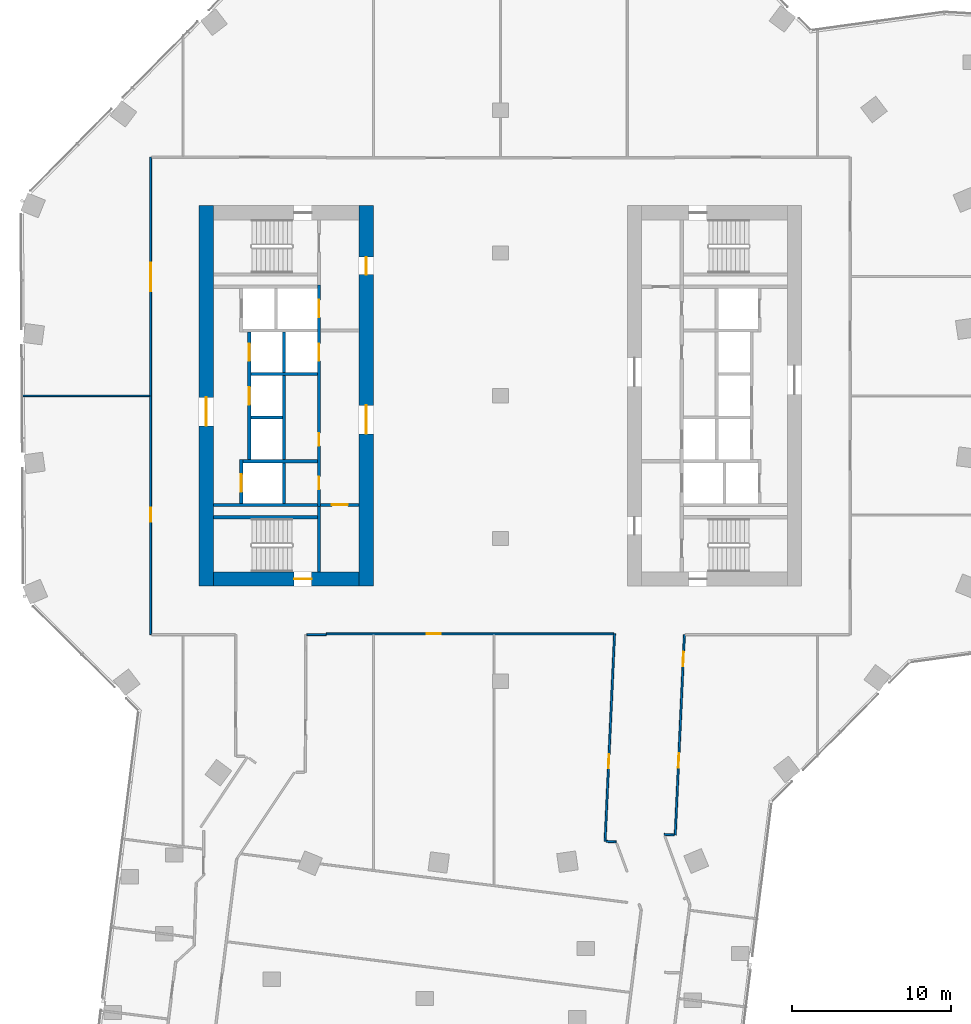
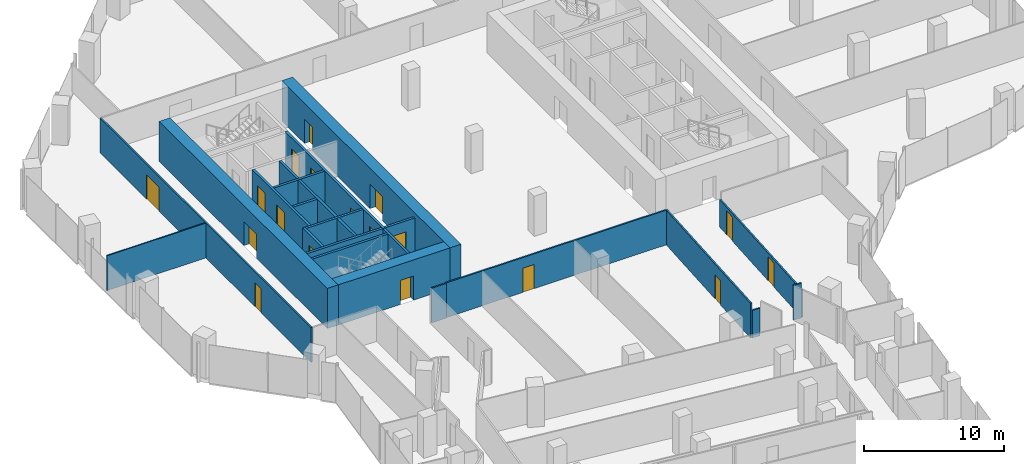
# One storey, part 20 of 27: 24 walls, 18 doors, 18 openings.
"""IFC4 building model written with IfcOpenShell, lengths in metres."""

from ifc_helpers import new_model, si_unit, direction, frame, frame_2d, origin, place, context, subcontext, project, spatial, rectangle, extrude, material, layer, layer_set, type_object, element, fill, save


model = new_model("IFC4")

# Units and contexts
model_context = context("Model", 3, precision=1e-05, world=origin(), true_north=direction((0.0, 1.0)))
body_context = subcontext(model_context, "Body", "Model", "MODEL_VIEW")
ifc_project = project(units=[si_unit("LENGTHUNIT", "METRE"), si_unit("AREAUNIT", "SQUARE_METRE"), si_unit("VOLUMEUNIT", "CUBIC_METRE"), si_unit("PLANEANGLEUNIT", "RADIAN"), si_unit("MASSUNIT", "GRAM", prefix="KILO")], contexts=[model_context])

# Site, building, storey
site_placement = place(None, origin())
site = spatial("IfcSite", under=ifc_project, at=site_placement, CompositionType="ELEMENT")
building_placement = place(site_placement, origin())
building = spatial("IfcBuilding", under=site, at=building_placement, Name="Orlundy Tower", CompositionType="ELEMENT")
storey_placement = place(building_placement, frame((0.0, 0.0, 202.60009765625)))
storey = spatial("IfcBuildingStorey", under=building, at=storey_placement, Name="L53", CompositionType="ELEMENT", Elevation=202.60009765625)

# Wall, opening, door
ifc_material_1 = material(Name="Concrete C70/85", Category="concrete")
ifc_layer_1 = layer(ifc_material_1, 0.89990234375)
ifc_layer_set_1 = layer_set([ifc_layer_1], Name="CORE WALL 900 C70/85")
wall_type_1 = type_object("IfcWallType", Name="CORE WALL 900 C70/85", PredefinedType="SHEAR", material=ifc_layer_set_1)
wall_1_placement = place(storey_placement, frame((-18.10009765625, -11.550048828125, 0.0), z_axis=(0.0, 0.0, 1.0), x_axis=(1.0, 0.0, 0.0)))
wall_1 = element("IfcWall", 1, at=wall_1_placement, inside=storey, type_object=wall_type_1, Name="Core wall W-S L53", PredefinedType="SHEAR", context=body_context, shape_type="SweptSolid", body=[
    extrude(rectangle(XDim=9.2001953125, YDim=0.89990234375, at=frame_2d((4.60009765625, 0.0))), origin(), (0.0, 0.0, 1.0), 3.5),
])
opening_1_placement = place(wall_1_placement, frame((5.10009765625, 0.0, 0.0)))
opening_1 = element("IfcOpeningElement", 2, at=opening_1_placement, cuts=wall_1, Name="Opening 40013", PredefinedType="OPENING", context=body_context, shape_type="SweptSolid", body=[
    extrude(rectangle(XDim=1.10009765625, YDim=2.10009765625, at=frame_2d((0.550048828125, 1.050048828125))), frame((0.0, 0.4599609375, 0.0), z_axis=(0.0, -1.0, 0.0), x_axis=(1.0, 0.0, 0.0)), (0.0, 0.0, 1.0), 0.919921875),
])
ifc_material_2 = material(Name="Steel door set", Category="steel")
door_type_1 = type_object("IfcDoorType", Name="Stair Door 1100x2100", OperationType="SINGLE_SWING_LEFT", PredefinedType="DOOR", material=ifc_material_2)
door_1_placement = place(opening_1_placement, origin())
door_1 = element("IfcDoor", 3, at=door_1_placement, inside=storey, type_object=door_type_1, Name="Stair door 40013", OperationType="SINGLE_SWING_RIGHT", OverallHeight=2.10009765625, OverallWidth=1.10009765625, PredefinedType="DOOR", context=body_context, shape_type="SweptSolid", body=[
    extrude(rectangle(XDim=1.10009765625, YDim=2.10009765625, at=frame_2d((0.550048828125, 1.050048828125))), frame((0.0, 0.02490234375, 0.0), z_axis=(0.0, -1.0, 0.0), x_axis=(1.0, 0.0, 0.0)), (0.0, 0.0, 1.0), 0.050048828125),
])
fill(opening_1, door_1)

wall_2_placement = place(storey_placement, frame((-18.550048828125, -12.0, 0.0), z_axis=(0.0, 0.0, 1.0), x_axis=(0.0, 1.0, 0.0)))
wall_2 = element("IfcWall", 4, at=wall_2_placement, inside=storey, type_object=wall_type_1, Name="Core wall W-W L53", PredefinedType="SHEAR", context=body_context, shape_type="SweptSolid", body=[
    extrude(rectangle(XDim=24.0, YDim=0.89990234375, at=frame_2d((12.0, 0.0))), origin(), (0.0, 0.0, 1.0), 3.5),
])
opening_2_placement = place(wall_2_placement, frame((10.10009765625, 0.0, 0.0)))
opening_2 = element("IfcOpeningElement", 5, at=opening_2_placement, cuts=wall_2, Name="Opening 40010", PredefinedType="OPENING", context=body_context, shape_type="SweptSolid", body=[
    extrude(rectangle(XDim=1.800048828125, YDim=2.10009765625, at=frame_2d((0.89990234375, 1.050048828125))), frame((0.0, 0.4599609375, 0.0), z_axis=(0.0, -1.0, 0.0), x_axis=(1.0, 0.0, 0.0)), (0.0, 0.0, 1.0), 0.919921875),
])
ifc_material_3 = material(Name="Timber door set", Category="wood")
door_type_2 = type_object("IfcDoorType", Name="Lobby Door 1800x2100", OperationType="DOUBLE_DOOR_DOUBLE_SWING", PredefinedType="DOOR", material=ifc_material_3)
door_2_placement = place(opening_2_placement, origin())
door_2 = element("IfcDoor", 6, at=door_2_placement, inside=storey, type_object=door_type_2, Name="Lift lobby door 40010", OperationType="SINGLE_SWING_LEFT", OverallHeight=2.10009765625, OverallWidth=1.800048828125, PredefinedType="DOOR", context=body_context, shape_type="SweptSolid", body=[
    extrude(rectangle(XDim=1.800048828125, YDim=2.10009765625, at=frame_2d((0.89990234375, 1.050048828125))), frame((0.0, 0.02490234375, 0.0), z_axis=(0.0, -1.0, 0.0), x_axis=(1.0, 0.0, 0.0)), (0.0, 0.0, 1.0), 0.050048828125),
])
fill(opening_2, door_2)

# Wall, openings, doors
wall_3_placement = place(storey_placement, frame((-8.449951171875, -12.0, 0.0), z_axis=(0.0, 0.0, 1.0), x_axis=(0.0, 1.0, 0.0)))
wall_3 = element("IfcWall", 7, at=wall_3_placement, inside=storey, type_object=wall_type_1, Name="Core wall W-E L53", PredefinedType="SHEAR", context=body_context, shape_type="SweptSolid", body=[
    extrude(rectangle(XDim=24.0, YDim=0.89990234375, at=frame_2d((12.0, 0.0))), origin(), (0.0, 0.0, 1.0), 3.5),
])
opening_3_placement = place(wall_3_placement, frame((9.60009765625, 0.0, 0.0)))
opening_3 = element("IfcOpeningElement", 8, at=opening_3_placement, cuts=wall_3, Name="Opening 40009", PredefinedType="OPENING", context=body_context, shape_type="SweptSolid", body=[
    extrude(rectangle(XDim=1.800048828125, YDim=2.10009765625, at=frame_2d((0.89990234375, 1.050048828125))), frame((0.0, 0.4599609375, 0.0), z_axis=(0.0, -1.0, 0.0), x_axis=(1.0, 0.0, 0.0)), (0.0, 0.0, 1.0), 0.919921875),
])
opening_4_placement = place(wall_3_placement, frame((19.64990234375, 0.0, 0.0)))
opening_4 = element("IfcOpeningElement", 9, at=opening_4_placement, cuts=wall_3, Name="Opening 40011", PredefinedType="OPENING", context=body_context, shape_type="SweptSolid", body=[
    extrude(rectangle(XDim=1.10009765625, YDim=2.10009765625, at=frame_2d((0.550048828125, 1.050048828125))), frame((0.0, 0.4599609375, 0.0), z_axis=(0.0, -1.0, 0.0), x_axis=(1.0, 0.0, 0.0)), (0.0, 0.0, 1.0), 0.919921875),
])
ifc_material_4 = material(Name="Steel door set", Category="steel")
door_type_3 = type_object("IfcDoorType", Name="Fire-fighting Lobby Door 1100x2100", OperationType="SINGLE_SWING_LEFT", PredefinedType="DOOR", material=ifc_material_4)
door_3_placement = place(opening_4_placement, origin())
door_3 = element("IfcDoor", 10, at=door_3_placement, inside=storey, type_object=door_type_3, Name="Fire-fighting lobby door 40011", OperationType="SINGLE_SWING_RIGHT", OverallHeight=2.10009765625, OverallWidth=1.10009765625, PredefinedType="DOOR", context=body_context, shape_type="SweptSolid", body=[
    extrude(rectangle(XDim=1.10009765625, YDim=2.10009765625, at=frame_2d((0.550048828125, 1.050048828125))), frame((0.0, 0.02490234375, 0.0), z_axis=(0.0, -1.0, 0.0), x_axis=(1.0, 0.0, 0.0)), (0.0, 0.0, 1.0), 0.050048828125),
])
fill(opening_4, door_3)
door_4_placement = place(opening_3_placement, origin())
door_4 = element("IfcDoor", 11, at=door_4_placement, inside=storey, type_object=door_type_2, Name="Lift lobby door 40009", OperationType="SINGLE_SWING_LEFT", OverallHeight=2.10009765625, OverallWidth=1.800048828125, PredefinedType="DOOR", context=body_context, shape_type="SweptSolid", body=[
    extrude(rectangle(XDim=1.800048828125, YDim=2.10009765625, at=frame_2d((0.89990234375, 1.050048828125))), frame((0.0, 0.02490234375, 0.0), z_axis=(0.0, -1.0, 0.0), x_axis=(1.0, 0.0, 0.0)), (0.0, 0.0, 1.0), 0.050048828125),
])
fill(opening_3, door_4)

# Walls
ifc_material_5 = material(Name="Gypsum board partition")
ifc_layer_2 = layer(ifc_material_5, 0.10009765625)
ifc_layer_set_2 = layer_set([ifc_layer_2], Name="Floor partition 100")
wall_type_2 = type_object("IfcWallType", Name="Floor partition 100", PredefinedType="PARTITIONING", material=ifc_layer_set_2)
wall_4_placement = place(storey_placement, frame((-30.2509765625, 0.0, 0.0), z_axis=(0.0, 0.0, 1.0), x_axis=(1.0, 0.0, 0.0)))
element("IfcWall", 12, at=wall_4_placement, inside=storey, type_object=wall_type_2, Name="wall-int-L53-035", PredefinedType="PARTITIONING", context=body_context, shape_type="SweptSolid", body=[
    extrude(rectangle(XDim=8.137939453125, YDim=0.10009765625, at=frame_2d((4.06884765625, 0.0))), origin(), (0.0, 0.0, 1.0), 3.02978515625),
])
ifc_material_6 = material(Name="Gypsum board partition, double layer")
ifc_layer_3 = layer(ifc_material_6, 0.125)
ifc_layer_set_3 = layer_set([ifc_layer_3], Name="Floor partition 125")
wall_type_3 = type_object("IfcWallType", Name="Floor partition 125", PredefinedType="PARTITIONING", material=ifc_layer_set_3)
wall_5_placement = place(storey_placement, frame((10.325927734375, -27.655029296875, 0.0), z_axis=(0.0, 0.0, 1.0), x_axis=(0.998961422795, -0.045563974439, 0.0)))
element("IfcWall", 13, at=wall_5_placement, inside=storey, type_object=wall_type_3, Name="wall-int-L53-023", PredefinedType="PARTITIONING", context=body_context, shape_type="SweptSolid", body=[
    extrude(rectangle(XDim=0.6376953125, YDim=0.125, at=frame_2d((0.31884765625, 0.0))), origin(), (0.0, 0.0, 1.0), 3.02978515625),
])
wall_6_placement = place(storey_placement, frame((-12.20703125, -15.051025390625, 0.0), z_axis=(0.0, 0.0, 1.0), x_axis=(1.0, 0.0, 0.0)))
element("IfcWall", 14, at=wall_6_placement, inside=storey, type_object=wall_type_3, Name="wall-int-L53-031", PredefinedType="PARTITIONING", context=body_context, shape_type="SweptSolid", body=[
    extrude(rectangle(XDim=1.216064453125, YDim=0.125, at=frame_2d((0.60791015625, 0.0))), origin(), (0.0, 0.0, 1.0), 3.02978515625),
])

# Wall, opening, door
wall_7_placement = place(storey_placement, frame((7.137939453125, -15.0009765625, 0.0), z_axis=(0.0, 0.0, 1.0), x_axis=(-1.0, 0.0, 0.0)))
wall_7 = element("IfcWall", 15, at=wall_7_placement, inside=storey, type_object=wall_type_3, Name="wall-int-L53-033", PredefinedType="PARTITIONING", context=body_context, shape_type="SweptSolid", body=[
    extrude(rectangle(XDim=18.1279296875, YDim=0.125, at=frame_2d((9.06396484375, 0.0))), origin(), (0.0, 0.0, 1.0), 3.02978515625),
])
opening_5_placement = place(wall_7_placement, frame((10.886474609375, 0.0, 0.0)))
opening_5 = element("IfcOpeningElement", 16, at=opening_5_placement, cuts=wall_7, Name="Opening 40114", PredefinedType="OPENING", context=body_context, shape_type="SweptSolid", body=[
    extrude(rectangle(XDim=0.89990234375, YDim=2.10009765625, at=frame_2d((0.449951171875, 1.050048828125))), frame((0.0, 0.072509765625, 0.0), z_axis=(0.0, -1.0, 0.0), x_axis=(1.0, 0.0, 0.0)), (0.0, 0.0, 1.0), 0.14501953125),
])
ifc_material_7 = material(Name="Timber door leaf", Category="wood")
door_type_4 = type_object("IfcDoorType", Name="Floor door single 900 FD30S", OperationType="NOTDEFINED", PredefinedType="DOOR", material=ifc_material_7)
door_5_placement = place(opening_5_placement, origin())
door_5 = element("IfcDoor", 17, at=door_5_placement, inside=storey, type_object=door_type_4, Name="Door 40114", OperationType="SINGLE_SWING_RIGHT", OverallHeight=2.10009765625, OverallWidth=0.89990234375, PredefinedType="DOOR", context=body_context, shape_type="SweptSolid", body=[
    extrude(rectangle(XDim=0.89990234375, YDim=2.10009765625, at=frame_2d((0.449951171875, 1.050048828125))), frame((0.0, 0.02490234375, 0.0), z_axis=(0.0, -1.0, 0.0), x_axis=(1.0, 0.0, 0.0)), (0.0, 0.0, 1.0), 0.050048828125),
])
fill(opening_5, door_5)

wall_8_placement = place(storey_placement, frame((6.60107421875, -28.090087890625, 0.0), z_axis=(0.0, 0.0, 1.0), x_axis=(0.045702609905, 0.998955089805, 0.0)))
wall_8 = element("IfcWall", 18, at=wall_8_placement, inside=storey, type_object=wall_type_3, Name="wall-int-L53-059", PredefinedType="PARTITIONING", context=body_context, shape_type="SweptSolid", body=[
    extrude(rectangle(XDim=13.103759765625, YDim=0.125, at=frame_2d((6.5517578125, 0.0))), origin(), (0.0, 0.0, 1.0), 3.02978515625),
])
opening_6_placement = place(wall_8_placement, frame((4.60009765625, 0.0, 0.0)))
opening_6 = element("IfcOpeningElement", 19, at=opening_6_placement, cuts=wall_8, Name="Opening 40115", PredefinedType="OPENING", context=body_context, shape_type="SweptSolid", body=[
    extrude(rectangle(XDim=0.89990234375, YDim=2.10009765625, at=frame_2d((0.449951171875, 1.050048828125))), frame((0.0, 0.072509765625, 0.0), z_axis=(0.0, -1.0, 0.0), x_axis=(1.0, 0.0, 0.0)), (0.0, 0.0, 1.0), 0.14501953125),
])
door_6_placement = place(opening_6_placement, origin())
door_6 = element("IfcDoor", 20, at=door_6_placement, inside=storey, type_object=door_type_4, Name="Door 40115", OperationType="SINGLE_SWING_LEFT", OverallHeight=2.10009765625, OverallWidth=0.89990234375, PredefinedType="DOOR", context=body_context, shape_type="SweptSolid", body=[
    extrude(rectangle(XDim=0.89990234375, YDim=2.10009765625, at=frame_2d((0.449951171875, 1.050048828125))), frame((0.0, 0.02490234375, 0.0), z_axis=(0.0, -1.0, 0.0), x_axis=(1.0, 0.0, 0.0)), (0.0, 0.0, 1.0), 0.050048828125),
])
fill(opening_6, door_6)

# Wall, openings, doors
wall_9_placement = place(storey_placement, frame((-22.050048828125, -15.051025390625, 0.0), z_axis=(0.0, 0.0, 1.0), x_axis=(0.0, 1.0, 0.0)))
wall_9 = element("IfcWall", 21, at=wall_9_placement, inside=storey, type_object=wall_type_3, Name="wall-int-L53-077", PredefinedType="PARTITIONING", context=body_context, shape_type="SweptSolid", body=[
    extrude(rectangle(XDim=30.10205078125, YDim=0.125, at=frame_2d((15.051025390625, 0.0))), origin(), (0.0, 0.0, 1.0), 3.02978515625),
])
opening_7_placement = place(wall_9_placement, frame((7.10009765625, 0.0, 0.0)))
opening_7 = element("IfcOpeningElement", 22, at=opening_7_placement, cuts=wall_9, Name="Opening 40111", PredefinedType="OPENING", context=body_context, shape_type="SweptSolid", body=[
    extrude(rectangle(XDim=0.89990234375, YDim=2.10009765625, at=frame_2d((0.449951171875, 1.050048828125))), frame((0.0, 0.072509765625, 0.0), z_axis=(0.0, -1.0, 0.0), x_axis=(1.0, 0.0, 0.0)), (0.0, 0.0, 1.0), 0.14501953125),
])
opening_8_placement = place(wall_9_placement, frame((21.65087890625, 0.0, 0.0)))
opening_8 = element("IfcOpeningElement", 23, at=opening_8_placement, cuts=wall_9, Name="Opening 40126", PredefinedType="OPENING", context=body_context, shape_type="SweptSolid", body=[
    extrude(rectangle(XDim=1.800048828125, YDim=2.10009765625, at=frame_2d((0.89990234375, 1.050048828125))), frame((0.0, 0.072509765625, 0.0), z_axis=(0.0, -1.0, 0.0), x_axis=(1.0, 0.0, 0.0)), (0.0, 0.0, 1.0), 0.14501953125),
])
ifc_material_8 = material(Name="Timber door leaf", Category="wood")
door_type_5 = type_object("IfcDoorType", Name="Floor door double 1800 FD30S", OperationType="NOTDEFINED", PredefinedType="DOOR", material=ifc_material_8)
door_7_placement = place(opening_8_placement, origin())
door_7 = element("IfcDoor", 24, at=door_7_placement, inside=storey, type_object=door_type_5, Name="Door 40126", OperationType="DOUBLE_DOOR_SINGLE_SWING", OverallHeight=2.10009765625, OverallWidth=1.800048828125, PredefinedType="DOOR", context=body_context, shape_type="SweptSolid", body=[
    extrude(rectangle(XDim=1.800048828125, YDim=2.10009765625, at=frame_2d((0.89990234375, 1.050048828125))), frame((0.0, 0.02490234375, 0.0), z_axis=(0.0, -1.0, 0.0), x_axis=(1.0, 0.0, 0.0)), (0.0, 0.0, 1.0), 0.050048828125),
])
fill(opening_8, door_7)
door_8_placement = place(opening_7_placement, origin())
door_8 = element("IfcDoor", 25, at=door_8_placement, inside=storey, type_object=door_type_4, Name="Door 40111", OperationType="SINGLE_SWING_LEFT", OverallHeight=2.10009765625, OverallWidth=0.89990234375, PredefinedType="DOOR", context=body_context, shape_type="SweptSolid", body=[
    extrude(rectangle(XDim=0.89990234375, YDim=2.10009765625, at=frame_2d((0.449951171875, 1.050048828125))), frame((0.0, 0.02490234375, 0.0), z_axis=(0.0, -1.0, 0.0), x_axis=(1.0, 0.0, 0.0)), (0.0, 0.0, 1.0), 0.050048828125),
])
fill(opening_7, door_8)

# Wall
ifc_material_9 = material(Name="Gypsum board partition, double layer")
ifc_layer_4 = layer(ifc_material_9, 0.125)
ifc_layer_set_4 = layer_set([ifc_layer_4], Name="Floor partition 125 B")
wall_type_4 = type_object("IfcWallType", Name="Floor partition 125 B", PredefinedType="PARTITIONING", material=ifc_layer_set_4)
wall_10_placement = place(storey_placement, frame((6.6630859375, -28.093017578125, 0.0), z_axis=(0.0, 0.0, 1.0), x_axis=(0.998961422795, -0.045563974439, 0.0)))
element("IfcWall", 26, at=wall_10_placement, inside=storey, type_object=wall_type_4, Name="wall-int-L53-022", PredefinedType="PARTITIONING", context=body_context, shape_type="SweptSolid", body=[
    extrude(rectangle(XDim=0.6376953125, YDim=0.125, at=frame_2d((0.31884765625, 0.0))), origin(), (0.0, 0.0, 1.0), 2.39501953125),
])

# Wall, openings, doors
wall_11_placement = place(storey_placement, frame((11.60302734375, -15.050048828125, 0.0), z_axis=(0.0, 0.0, 1.0), x_axis=(-0.045700929941, -0.998955166663, 0.0)))
wall_11 = element("IfcWall", 27, at=wall_11_placement, inside=storey, type_object=wall_type_4, Name="wall-int-L53-058", PredefinedType="PARTITIONING", context=body_context, shape_type="SweptSolid", body=[
    extrude(rectangle(XDim=12.650146484375, YDim=0.125, at=frame_2d((6.3251953125, 0.0))), origin(), (0.0, 0.0, 1.0), 2.39501953125),
])
opening_9_placement = place(wall_11_placement, frame((7.499267578125, 0.0, 0.0)))
opening_9 = element("IfcOpeningElement", 28, at=opening_9_placement, cuts=wall_11, Name="Opening 40116", PredefinedType="OPENING", context=body_context, shape_type="SweptSolid", body=[
    extrude(rectangle(XDim=0.89990234375, YDim=2.10009765625, at=frame_2d((0.449951171875, 1.050048828125))), frame((0.0, 0.072509765625, 0.0), z_axis=(0.0, -1.0, 0.0), x_axis=(1.0, 0.0, 0.0)), (0.0, 0.0, 1.0), 0.14501953125),
])
opening_10_placement = place(wall_11_placement, frame((1.100830078125, 0.0, 0.0)))
opening_10 = element("IfcOpeningElement", 29, at=opening_10_placement, cuts=wall_11, Name="Opening 40117", PredefinedType="OPENING", context=body_context, shape_type="SweptSolid", body=[
    extrude(rectangle(XDim=0.89990234375, YDim=2.10009765625, at=frame_2d((0.449951171875, 1.050048828125))), frame((0.0, 0.072509765625, 0.0), z_axis=(0.0, -1.0, 0.0), x_axis=(1.0, 0.0, 0.0)), (0.0, 0.0, 1.0), 0.14501953125),
])
door_9_placement = place(opening_9_placement, origin())
door_9 = element("IfcDoor", 30, at=door_9_placement, inside=storey, type_object=door_type_4, Name="Door 40116", OperationType="SINGLE_SWING_RIGHT", OverallHeight=2.10009765625, OverallWidth=0.89990234375, PredefinedType="DOOR", context=body_context, shape_type="SweptSolid", body=[
    extrude(rectangle(XDim=0.89990234375, YDim=2.10009765625, at=frame_2d((0.449951171875, 1.050048828125))), frame((0.0, 0.02490234375, 0.0), z_axis=(0.0, -1.0, 0.0), x_axis=(1.0, 0.0, 0.0)), (0.0, 0.0, 1.0), 0.050048828125),
])
fill(opening_9, door_9)
door_10_placement = place(opening_10_placement, origin())
door_10 = element("IfcDoor", 31, at=door_10_placement, inside=storey, type_object=door_type_4, Name="Door 40117", OperationType="SINGLE_SWING_LEFT", OverallHeight=2.10009765625, OverallWidth=0.89990234375, PredefinedType="DOOR", context=body_context, shape_type="SweptSolid", body=[
    extrude(rectangle(XDim=0.89990234375, YDim=2.10009765625, at=frame_2d((0.449951171875, 1.050048828125))), frame((0.0, 0.02490234375, 0.0), z_axis=(0.0, -1.0, 0.0), x_axis=(1.0, 0.0, 0.0)), (0.0, 0.0, 1.0), 0.050048828125),
])
fill(opening_10, door_10)

# Walls
ifc_material_10 = material(Name="Concrete C40/50", Category="concrete")
ifc_layer_5 = layer(ifc_material_10, 0.199951171875)
ifc_layer_set_5 = layer_set([ifc_layer_5], Name="Load-bearing Shaft Wall 200")
wall_type_5 = type_object("IfcWallType", Name="Load-bearing Shaft Wall 200", PredefinedType="SOLIDWALL", material=ifc_layer_set_5)
wall_12_placement = place(storey_placement, frame((-11.5400390625, -6.875, 0.0), z_axis=(0.0, 0.0, 1.0), x_axis=(-1.0, 0.0, 0.0)))
element("IfcWall", 32, at=wall_12_placement, inside=storey, type_object=wall_type_5, Name="Shaft wall W40-zone-s", PredefinedType="SOLIDWALL", context=body_context, shape_type="SweptSolid", body=[
    extrude(rectangle(XDim=6.56005859375, YDim=0.199951171875, at=frame_2d((3.280029296875, 0.0))), origin(), (0.0, 0.0, 1.0), 3.0498046875),
])
wall_13_placement = place(storey_placement, frame((-11.5400390625, -4.125, 0.0), z_axis=(0.0, 0.0, 1.0), x_axis=(-1.0, 0.0, 0.0)))
element("IfcWall", 33, at=wall_13_placement, inside=storey, type_object=wall_type_5, Name="Shaft wall W40-cross-4.125", PredefinedType="SOLIDWALL", context=body_context, shape_type="SweptSolid", body=[
    extrude(rectangle(XDim=4.699951171875, YDim=0.199951171875, at=frame_2d((2.35009765625, 0.0))), origin(), (0.0, 0.0, 1.0), 3.0498046875),
])
wall_14_placement = place(storey_placement, frame((-13.739990234375, -1.375, 0.0), z_axis=(0.0, 0.0, 1.0), x_axis=(-1.0, 0.0, 0.0)))
element("IfcWall", 34, at=wall_14_placement, inside=storey, type_object=wall_type_5, Name="Shaft wall W40-cross-1.375", PredefinedType="SOLIDWALL", context=body_context, shape_type="SweptSolid", body=[
    extrude(rectangle(XDim=2.0, YDim=0.199951171875, at=frame_2d((1.0, 0.0))), origin(), (0.0, 0.0, 1.0), 3.0498046875),
])

# Wall, openings, doors
wall_15_placement = place(storey_placement, frame((-11.43994140625, -6.97509765625, 0.0), z_axis=(0.0, 0.0, 1.0), x_axis=(0.0, 1.0, 0.0)))
wall_15 = element("IfcWall", 35, at=wall_15_placement, inside=storey, type_object=wall_type_5, Name="Shaft wall W40-front-h", PredefinedType="SOLIDWALL", context=body_context, shape_type="SweptSolid", body=[
    extrude(rectangle(XDim=13.9501953125, YDim=0.199951171875, at=frame_2d((6.97509765625, 0.0))), origin(), (0.0, 0.0, 1.0), 3.0498046875),
])
opening_11_placement = place(wall_15_placement, frame((9.175048828125, 0.0, 0.0)))
opening_11 = element("IfcOpeningElement", 36, at=opening_11_placement, cuts=wall_15, Name="Opening 40003", PredefinedType="OPENING", context=body_context, shape_type="SweptSolid", body=[
    extrude(rectangle(XDim=1.10009765625, YDim=2.10009765625, at=frame_2d((0.550048828125, 1.050048828125))), frame((0.0, 0.110107421875, 0.0), z_axis=(0.0, -1.0, 0.0), x_axis=(1.0, 0.0, 0.0)), (0.0, 0.0, 1.0), 0.22021484375),
])
opening_12_placement = place(wall_15_placement, frame((11.925048828125, 0.0, 0.0)))
opening_12 = element("IfcOpeningElement", 37, at=opening_12_placement, cuts=wall_15, Name="Opening 40005", PredefinedType="OPENING", context=body_context, shape_type="SweptSolid", body=[
    extrude(rectangle(XDim=1.10009765625, YDim=2.10009765625, at=frame_2d((0.550048828125, 1.050048828125))), frame((0.0, 0.110107421875, 0.0), z_axis=(0.0, -1.0, 0.0), x_axis=(1.0, 0.0, 0.0)), (0.0, 0.0, 1.0), 0.22021484375),
])
opening_13_placement = place(wall_15_placement, frame((1.074951171875, 0.0, 0.0)))
opening_13 = element("IfcOpeningElement", 38, at=opening_13_placement, cuts=wall_15, Name="Opening 40007", PredefinedType="OPENING", context=body_context, shape_type="SweptSolid", body=[
    extrude(rectangle(XDim=0.800048828125, YDim=2.10009765625, at=frame_2d((0.39990234375, 1.050048828125))), frame((0.0, 0.110107421875, 0.0), z_axis=(0.0, -1.0, 0.0), x_axis=(1.0, 0.0, 0.0)), (0.0, 0.0, 1.0), 0.22021484375),
])
opening_14_placement = place(wall_15_placement, frame((3.824951171875, 0.0, 0.0)))
opening_14 = element("IfcOpeningElement", 39, at=opening_14_placement, cuts=wall_15, Name="Opening 40008", PredefinedType="OPENING", context=body_context, shape_type="SweptSolid", body=[
    extrude(rectangle(XDim=0.800048828125, YDim=2.10009765625, at=frame_2d((0.39990234375, 1.050048828125))), frame((0.0, 0.110107421875, 0.0), z_axis=(0.0, -1.0, 0.0), x_axis=(1.0, 0.0, 0.0)), (0.0, 0.0, 1.0), 0.22021484375),
])
ifc_material_11 = material(Name="Steel door set", Category="steel")
door_type_6 = type_object("IfcDoorType", Name="Landing Door 1100x2100", OperationType="DOUBLE_DOOR_SLIDING", PredefinedType="DOOR", material=ifc_material_11)
door_11_placement = place(opening_11_placement, origin())
door_11 = element("IfcDoor", 40, at=door_11_placement, inside=storey, type_object=door_type_6, Name="Lift landing door LP-12 40003", OperationType="DOUBLE_DOOR_SLIDING", OverallHeight=2.10009765625, OverallWidth=1.10009765625, PredefinedType="DOOR", context=body_context, shape_type="SweptSolid", body=[
    extrude(rectangle(XDim=1.10009765625, YDim=2.10009765625, at=frame_2d((0.550048828125, 1.050048828125))), frame((0.0, 0.02490234375, 0.0), z_axis=(0.0, -1.0, 0.0), x_axis=(1.0, 0.0, 0.0)), (0.0, 0.0, 1.0), 0.050048828125),
])
fill(opening_11, door_11)
door_12_placement = place(opening_12_placement, origin())
door_12 = element("IfcDoor", 41, at=door_12_placement, inside=storey, type_object=door_type_6, Name="Lift landing door FL1 40005", OperationType="DOUBLE_DOOR_SLIDING", OverallHeight=2.10009765625, OverallWidth=1.10009765625, PredefinedType="DOOR", context=body_context, shape_type="SweptSolid", body=[
    extrude(rectangle(XDim=1.10009765625, YDim=2.10009765625, at=frame_2d((0.550048828125, 1.050048828125))), frame((0.0, 0.02490234375, 0.0), z_axis=(0.0, -1.0, 0.0), x_axis=(1.0, 0.0, 0.0)), (0.0, 0.0, 1.0), 0.050048828125),
])
fill(opening_12, door_12)
ifc_material_12 = material(Name="Timber door set", Category="wood")
door_type_7 = type_object("IfcDoorType", Name="Riser Door 800x2100", OperationType="SINGLE_SWING_LEFT", PredefinedType="DOOR", material=ifc_material_12)
door_13_placement = place(opening_13_placement, origin())
door_13 = element("IfcDoor", 42, at=door_13_placement, inside=storey, type_object=door_type_7, Name="Pantry Store door 40007", OperationType="SINGLE_SWING_LEFT", OverallHeight=2.10009765625, OverallWidth=0.800048828125, PredefinedType="DOOR", context=body_context, shape_type="SweptSolid", body=[
    extrude(rectangle(XDim=0.800048828125, YDim=2.10009765625, at=frame_2d((0.39990234375, 1.050048828125))), frame((0.0, 0.02490234375, 0.0), z_axis=(0.0, -1.0, 0.0), x_axis=(1.0, 0.0, 0.0)), (0.0, 0.0, 1.0), 0.050048828125),
])
fill(opening_13, door_13)
door_14_placement = place(opening_14_placement, origin())
door_14 = element("IfcDoor", 43, at=door_14_placement, inside=storey, type_object=door_type_7, Name="AV Store door 40008", OperationType="SINGLE_SWING_LEFT", OverallHeight=2.10009765625, OverallWidth=0.800048828125, PredefinedType="DOOR", context=body_context, shape_type="SweptSolid", body=[
    extrude(rectangle(XDim=0.800048828125, YDim=2.10009765625, at=frame_2d((0.39990234375, 1.050048828125))), frame((0.0, 0.02490234375, 0.0), z_axis=(0.0, -1.0, 0.0), x_axis=(1.0, 0.0, 0.0)), (0.0, 0.0, 1.0), 0.050048828125),
])
fill(opening_14, door_14)

# Walls
wall_16_placement = place(storey_placement, frame((-13.639892578125, -6.77490234375, 0.0), z_axis=(0.0, 0.0, 1.0), x_axis=(0.0, 1.0, 0.0)))
element("IfcWall", 44, at=wall_16_placement, inside=storey, type_object=wall_type_5, Name="Shaft wall W40-mid-a", PredefinedType="SOLIDWALL", context=body_context, shape_type="SweptSolid", body=[
    extrude(rectangle(XDim=2.5498046875, YDim=0.199951171875, at=frame_2d((1.27490234375, 0.0))), origin(), (0.0, 0.0, 1.0), 3.0498046875),
])
wall_17_placement = place(storey_placement, frame((-13.639892578125, -4.02490234375, 0.0), z_axis=(0.0, 0.0, 1.0), x_axis=(0.0, 1.0, 0.0)))
element("IfcWall", 45, at=wall_17_placement, inside=storey, type_object=wall_type_5, Name="Shaft wall W40-mid-a.1", PredefinedType="SOLIDWALL", context=body_context, shape_type="SweptSolid", body=[
    extrude(rectangle(XDim=5.2998046875, YDim=0.199951171875, at=frame_2d((2.64990234375, 0.0))), origin(), (0.0, 0.0, 1.0), 3.0498046875),
])
wall_18_placement = place(storey_placement, frame((-11.43994140625, -11.10009765625, 0.0), z_axis=(0.0, 0.0, 1.0), x_axis=(0.0, 1.0, 0.0)))
element("IfcWall", 46, at=wall_18_placement, inside=storey, type_object=wall_type_5, Name="Shaft wall W40-stair-end-s", PredefinedType="SOLIDWALL", context=body_context, shape_type="SweptSolid", body=[
    extrude(rectangle(XDim=4.125, YDim=0.199951171875, at=frame_2d((2.0625, 0.0))), origin(), (0.0, 0.0, 1.0), 3.0498046875),
])
wall_19_placement = place(storey_placement, frame((-11.5400390625, -7.64990234375, 0.0), z_axis=(0.0, 0.0, 1.0), x_axis=(-1.0, 0.0, 0.0)))
element("IfcWall", 47, at=wall_19_placement, inside=storey, type_object=wall_type_5, Name="Shaft wall W40-stair-side-s", PredefinedType="SOLIDWALL", context=body_context, shape_type="SweptSolid", body=[
    extrude(rectangle(XDim=6.56005859375, YDim=0.199951171875, at=frame_2d((3.280029296875, 0.0))), origin(), (0.0, 0.0, 1.0), 3.0498046875),
])

# Wall, opening, door
ifc_material_13 = material(Name="Gypsum board partition on steel studs", Category="steel")
ifc_layer_6 = layer(ifc_material_13, 0.199951171875)
ifc_layer_set_6 = layer_set([ifc_layer_6], Name="Partition 200")
wall_type_6 = type_object("IfcWallType", Name="Partition 200", PredefinedType="PARTITIONING", material=ifc_layer_set_6)
wall_20_placement = place(storey_placement, frame((-8.89990234375, -6.875, 0.0), z_axis=(0.0, 0.0, 1.0), x_axis=(-1.0, 0.0, 0.0)))
wall_20 = element("IfcWall", 48, at=wall_20_placement, inside=storey, type_object=wall_type_6, Name="Partition wall W40-end-s", PredefinedType="PARTITIONING", context=body_context, shape_type="SweptSolid", body=[
    extrude(rectangle(XDim=2.440185546875, YDim=0.199951171875, at=frame_2d((1.22021484375, 0.0))), origin(), (0.0, 0.0, 1.0), 3.0498046875),
])
opening_15_placement = place(wall_20_placement, frame((0.719970703125, 0.0, 0.0)))
opening_15 = element("IfcOpeningElement", 49, at=opening_15_placement, cuts=wall_20, Name="Opening 40015", PredefinedType="OPENING", context=body_context, shape_type="SweptSolid", body=[
    extrude(rectangle(XDim=1.0, YDim=2.10009765625, at=frame_2d((0.5, 1.050048828125))), frame((0.0, 0.110107421875, 0.0), z_axis=(0.0, -1.0, 0.0), x_axis=(1.0, 0.0, 0.0)), (0.0, 0.0, 1.0), 0.22021484375),
])
ifc_material_14 = material(Name="Timber door set", Category="wood")
door_type_8 = type_object("IfcDoorType", Name="Accessible Door 1000x2100", OperationType="SINGLE_SWING_LEFT", PredefinedType="DOOR", material=ifc_material_14)
door_15_placement = place(opening_15_placement, origin())
door_15 = element("IfcDoor", 50, at=door_15_placement, inside=storey, type_object=door_type_8, Name="Accessible WC door 40015", OperationType="SINGLE_SWING_RIGHT", OverallHeight=2.10009765625, OverallWidth=1.0, PredefinedType="DOOR", context=body_context, shape_type="SweptSolid", body=[
    extrude(rectangle(XDim=1.0, YDim=2.10009765625, at=frame_2d((0.5, 1.050048828125))), frame((0.0, 0.02490234375, 0.0), z_axis=(0.0, -1.0, 0.0), x_axis=(1.0, 0.0, 0.0)), (0.0, 0.0, 1.0), 0.050048828125),
])
fill(opening_15, door_15)

# Walls
ifc_material_15 = material(Name="Fire-rated blockwork shaft wall", Category="masonry")
ifc_layer_7 = layer(ifc_material_15, 0.199951171875)
ifc_layer_set_7 = layer_set([ifc_layer_7], Name="Shaft Wall 200")
wall_type_7 = type_object("IfcWallType", Name="Shaft Wall 200", PredefinedType="SOLIDWALL", material=ifc_layer_set_7)
wall_21_placement = place(storey_placement, frame((-11.5400390625, 1.375, 0.0), z_axis=(0.0, 0.0, 1.0), x_axis=(-1.0, 0.0, 0.0)))
element("IfcWall", 51, at=wall_21_placement, inside=storey, type_object=wall_type_7, Name="Shaft wall W40-cross+1.375", PredefinedType="SOLIDWALL", context=body_context, shape_type="SweptSolid", body=[
    extrude(rectangle(XDim=4.199951171875, YDim=0.199951171875, at=frame_2d((2.10009765625, 0.0))), origin(), (0.0, 0.0, 1.0), 3.0498046875),
])
wall_22_placement = place(storey_placement, frame((-13.639892578125, 1.47509765625, 0.0), z_axis=(0.0, 0.0, 1.0), x_axis=(0.0, 1.0, 0.0)))
element("IfcWall", 52, at=wall_22_placement, inside=storey, type_object=wall_type_7, Name="Shaft wall W40-mid-a.2", PredefinedType="SOLIDWALL", context=body_context, shape_type="SweptSolid", body=[
    extrude(rectangle(XDim=2.5498046875, YDim=0.199951171875, at=frame_2d((1.27490234375, 0.0))), origin(), (0.0, 0.0, 1.0), 3.0498046875),
])

# Wall, opening, door
wall_23_placement = place(storey_placement, frame((-16.340087890625, -6.77490234375, 0.0), z_axis=(0.0, 0.0, 1.0), x_axis=(0.0, 1.0, 0.0)))
wall_23 = element("IfcWall", 53, at=wall_23_placement, inside=storey, type_object=wall_type_7, Name="Shaft wall W40-front-o-a", PredefinedType="SOLIDWALL", context=body_context, shape_type="SweptSolid", body=[
    extrude(rectangle(XDim=2.75, YDim=0.199951171875, at=frame_2d((1.375, 0.0))), origin(), (0.0, 0.0, 1.0), 3.0498046875),
])
opening_16_placement = place(wall_23_placement, frame((0.72509765625, 0.0, 0.0)))
opening_16 = element("IfcOpeningElement", 54, at=opening_16_placement, cuts=wall_23, Name="Opening 40001", PredefinedType="OPENING", context=body_context, shape_type="SweptSolid", body=[
    extrude(rectangle(XDim=1.10009765625, YDim=2.10009765625, at=frame_2d((0.550048828125, 1.050048828125))), frame((0.0, 0.110107421875, 0.0), z_axis=(0.0, -1.0, 0.0), x_axis=(1.0, 0.0, 0.0)), (0.0, 0.0, 1.0), 0.22021484375),
])
door_16_placement = place(opening_16_placement, origin())
door_16 = element("IfcDoor", 55, at=door_16_placement, inside=storey, type_object=door_type_6, Name="Lift landing door LV-01 40001", OperationType="DOUBLE_DOOR_SLIDING", OverallHeight=2.10009765625, OverallWidth=1.10009765625, PredefinedType="DOOR", context=body_context, shape_type="SweptSolid", body=[
    extrude(rectangle(XDim=1.10009765625, YDim=2.10009765625, at=frame_2d((0.550048828125, 1.050048828125))), frame((0.0, 0.02490234375, 0.0), z_axis=(0.0, -1.0, 0.0), x_axis=(1.0, 0.0, 0.0)), (0.0, 0.0, 1.0), 0.050048828125),
])
fill(opening_16, door_16)

# Wall, openings, doors
wall_24_placement = place(storey_placement, frame((-15.840087890625, -4.02490234375, 0.0), z_axis=(0.0, 0.0, 1.0), x_axis=(0.0, 1.0, 0.0)))
wall_24 = element("IfcWall", 56, at=wall_24_placement, inside=storey, type_object=wall_type_7, Name="Shaft wall W40-front-o-b", PredefinedType="SOLIDWALL", context=body_context, shape_type="SweptSolid", body=[
    extrude(rectangle(XDim=8.0498046875, YDim=0.199951171875, at=frame_2d((4.02490234375, 0.0))), origin(), (0.0, 0.0, 1.0), 3.0498046875),
])
opening_17_placement = place(wall_24_placement, frame((3.47509765625, 0.0, 0.0)))
opening_17 = element("IfcOpeningElement", 57, at=opening_17_placement, cuts=wall_24, Name="Opening 40002", PredefinedType="OPENING", context=body_context, shape_type="SweptSolid", body=[
    extrude(rectangle(XDim=1.10009765625, YDim=2.10009765625, at=frame_2d((0.550048828125, 1.050048828125))), frame((0.0, 0.110107421875, 0.0), z_axis=(0.0, -1.0, 0.0), x_axis=(1.0, 0.0, 0.0)), (0.0, 0.0, 1.0), 0.22021484375),
])
opening_18_placement = place(wall_24_placement, frame((6.22509765625, 0.0, 0.0)))
opening_18 = element("IfcOpeningElement", 58, at=opening_18_placement, cuts=wall_24, Name="Opening 40004", PredefinedType="OPENING", context=body_context, shape_type="SweptSolid", body=[
    extrude(rectangle(XDim=1.10009765625, YDim=2.10009765625, at=frame_2d((0.550048828125, 1.050048828125))), frame((0.0, 0.110107421875, 0.0), z_axis=(0.0, -1.0, 0.0), x_axis=(1.0, 0.0, 0.0)), (0.0, 0.0, 1.0), 0.22021484375),
])
door_17_placement = place(opening_17_placement, origin())
door_17 = element("IfcDoor", 59, at=door_17_placement, inside=storey, type_object=door_type_6, Name="Lift landing door LP-11 40002", OperationType="DOUBLE_DOOR_SLIDING", OverallHeight=2.10009765625, OverallWidth=1.10009765625, PredefinedType="DOOR", context=body_context, shape_type="SweptSolid", body=[
    extrude(rectangle(XDim=1.10009765625, YDim=2.10009765625, at=frame_2d((0.550048828125, 1.050048828125))), frame((0.0, 0.02490234375, 0.0), z_axis=(0.0, -1.0, 0.0), x_axis=(1.0, 0.0, 0.0)), (0.0, 0.0, 1.0), 0.050048828125),
])
fill(opening_17, door_17)
door_18_placement = place(opening_18_placement, origin())
door_18 = element("IfcDoor", 60, at=door_18_placement, inside=storey, type_object=door_type_6, Name="Lift landing door LP-13 40004", OperationType="DOUBLE_DOOR_SLIDING", OverallHeight=2.10009765625, OverallWidth=1.10009765625, PredefinedType="DOOR", context=body_context, shape_type="SweptSolid", body=[
    extrude(rectangle(XDim=1.10009765625, YDim=2.10009765625, at=frame_2d((0.550048828125, 1.050048828125))), frame((0.0, 0.02490234375, 0.0), z_axis=(0.0, -1.0, 0.0), x_axis=(1.0, 0.0, 0.0)), (0.0, 0.0, 1.0), 0.050048828125),
])
fill(opening_18, door_18)

save(model, "model.ifc")
